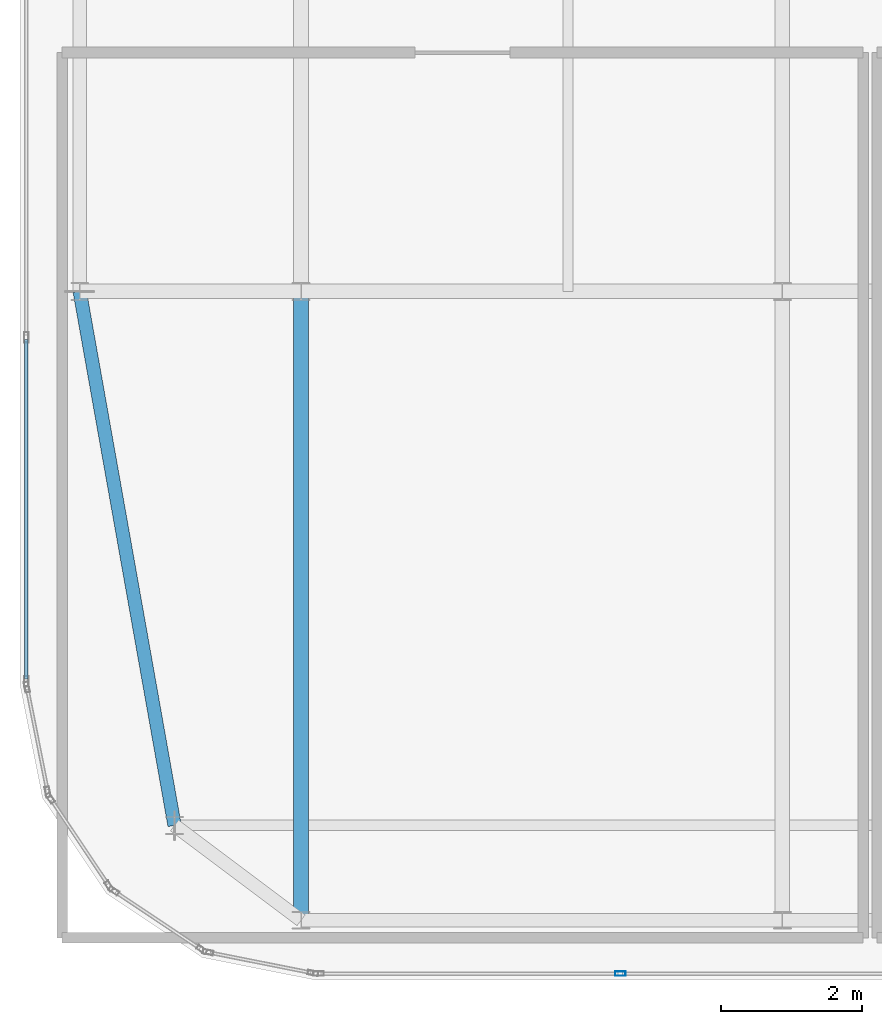
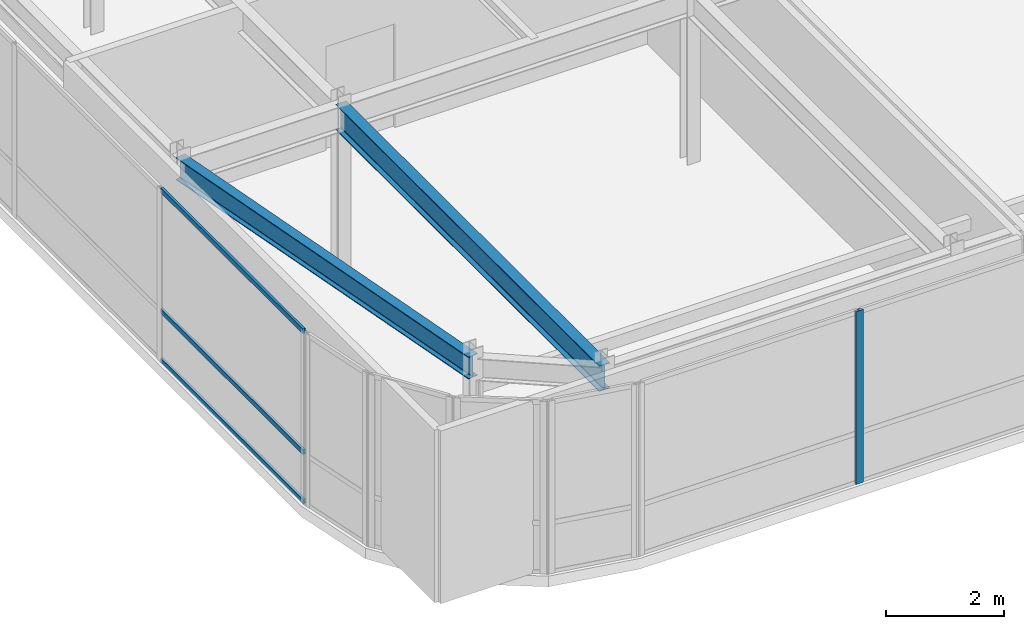
# One storey, part 6 of 36: 4 members, 2 beams, 2 elements without a shape of their own.
"""IFC4 building model written with IfcOpenShell, lengths in metres."""

from ifc_helpers import new_model, si_unit, direction, frame, origin, origin_2d, place, context, subcontext, project, spatial, hollow_rectangle, i_section, extrude, source, transform, mapped, material, layer, layer_set, material_profile, profile_set, type_object, type_shapes, element, aggregate, save


model = new_model("IFC4")

# Units and contexts
model_context = context("Model", 3, precision=1e-05, world=origin(), true_north=direction((0.0, 1.0)))
body_context = subcontext(model_context, "Body", "Model", "MODEL_VIEW")
ifc_project = project(units=[si_unit("LENGTHUNIT", "METRE"), si_unit("AREAUNIT", "SQUARE_METRE"), si_unit("VOLUMEUNIT", "CUBIC_METRE"), si_unit("PLANEANGLEUNIT", "RADIAN"), si_unit("MASSUNIT", "GRAM", prefix="KILO")], contexts=[model_context])

# Site, building, storey
site_placement = place(None, origin())
site = spatial("IfcSite", under=ifc_project, at=site_placement, CompositionType="ELEMENT")
building_placement = place(site_placement, origin())
building = spatial("IfcBuilding", under=site, at=building_placement, Name="Tolvann Quenvar Hotel", CompositionType="ELEMENT")
storey_placement = place(building_placement, frame((0.0, 0.0, 302.35009765625)))
storey = spatial("IfcBuildingStorey", under=building, at=storey_placement, Name="L80", CompositionType="ELEMENT", Elevation=302.35009765625)

# Beams
ifc_material_1 = material(Name="Steel Grade 350", Category="steel")
ifc_material_profile_1 = material_profile(ifc_material_1, i_section(OverallWidth=0.19091796875, OverallDepth=0.4599609375, WebThickness=0.010009765625, FlangeThickness=0.01611328125, FilletRadius=0.011474609375, at=origin_2d()), Name="460UB82")
ifc_profile_set_1 = profile_set([ifc_material_profile_1], Name="Steel Grade 350")
beam_type_1 = type_object("IfcBeamType", Name="BM_SPAND_460UB82", PredefinedType="SPANDREL", material=ifc_profile_set_1)
shared_shape_1 = source(origin(), body_context, "Body", "SweptSolid", [
    extrude(i_section(OverallWidth=0.19091796875, OverallDepth=0.4599609375, WebThickness=0.010009765625, FlangeThickness=0.01611328125, FilletRadius=0.011474609375, at=origin_2d()), origin(), (0.0, 0.0, 1.0), 7.718994140625),
])
type_shapes(beam_type_1, [shared_shape_1])
beam_1_placement = place(storey_placement, frame((5.800048828125, 8.39990234375, 3.349853515625), z_axis=(-0.174903883222, 0.984585512606, 0.0), x_axis=(-0.984585512606, -0.174903883222, 0.0)))
element("IfcBeam", 1, at=beam_1_placement, inside=storey, type_object=beam_type_1, Name="BM-L80-NS-B2-B4", PredefinedType="SPANDREL", context=body_context, shape_type="MappedRepresentation", body=[
    mapped(shared_shape_1, transform((0.0, 0.0, 0.0), x_axis=(1.0, 0.0, 0.0), y_axis=(0.0, 1.0, 0.0), z_axis=(0.0, 0.0, 1.0), scale=1.0)),
])
ifc_material_profile_2 = material_profile(ifc_material_1, i_section(OverallWidth=0.208984375, OverallDepth=0.532958984375, WebThickness=0.01025390625, FlangeThickness=0.015625, FilletRadius=0.013916015625, at=origin_2d()), Name="530UB92")
ifc_profile_set_2 = profile_set([ifc_material_profile_2], Name="Steel Grade 350")
beam_type_2 = type_object("IfcBeamType", Name="BM_GIRD_530UB92", PredefinedType="BEAM", material=ifc_profile_set_2)
shared_shape_2 = source(origin(), body_context, "Body", "SweptSolid", [
    extrude(i_section(OverallWidth=0.208984375, OverallDepth=0.532958984375, WebThickness=0.01025390625, FlangeThickness=0.015625, FilletRadius=0.013916015625, at=origin_2d()), origin(), (0.0, 0.0, 1.0), 8.949951171875),
])
type_shapes(beam_type_2, [shared_shape_2])
beam_2_placement = place(storey_placement, frame((7.60009765625, 7.050048828125, 3.3134765625), z_axis=(0.0, 1.0, 0.0), x_axis=(-1.0, 0.0, 0.0)))
element("IfcBeam", 2, at=beam_2_placement, inside=storey, type_object=beam_type_2, Name="BM-L80-NS-C2-C4", PredefinedType="BEAM", context=body_context, shape_type="MappedRepresentation", body=[
    mapped(shared_shape_2, transform((0.0, 0.0, 0.0), x_axis=(1.0, 0.0, 0.0), y_axis=(0.0, 1.0, 0.0), z_axis=(0.0, 0.0, 1.0), scale=1.0)),
])

# Curtain wall, members
ifc_material_2 = material(Name="Thermally broken anodised architectural aluminium 6063-T6 and laminated low-E glass", Category="aluminium")
ifc_layer = layer(ifc_material_2, 0.179931640625)
ifc_layer_set = layer_set([ifc_layer], Name="Thermally broken anodised architectural aluminium 6063-T6 and laminated low-E glass")
curtain_wall_type = type_object("IfcCurtainWallType", Name="CW_SYS_LANT_06", PredefinedType="USERDEFINED", material=ifc_layer_set)
curtain_wall_1_placement = place(storey_placement, origin())
curtain_wall_1 = element("IfcCurtainWall", 3, at=curtain_wall_1_placement, inside=storey, type_object=curtain_wall_type, Name="Curtain Wall CW-LANT-06 (CWR-L80-E19)", ObjectType="UNITISED CURTAIN WALL", PredefinedType="USERDEFINED")
ifc_material_3 = material(Name="Anodised architectural aluminium 6063-T6 framing", Category="aluminium")
ifc_material_profile_3 = material_profile(ifc_material_3, hollow_rectangle(XDim=0.050048828125, YDim=0.10009765625, WallThickness=0.0029296875, at=origin_2d()), Name="100x50x3RHS")
ifc_profile_set_3 = profile_set([ifc_material_profile_3], Name="Anodised architectural aluminium 6063-T6 framing")
member_type_1 = type_object("IfcMemberType", Name="CW_TRAN_100x50", PredefinedType="USERDEFINED", material=ifc_profile_set_3)
shared_shape_3 = source(origin(), body_context, "Body", "SweptSolid", [
    extrude(hollow_rectangle(XDim=0.050048828125, YDim=0.10009765625, WallThickness=0.0029296875, at=origin_2d()), origin(), (0.0, 0.0, 1.0), 4.830078125),
])
type_shapes(member_type_1, [shared_shape_3])
member_1_placement = place(storey_placement, frame((3.68994140625, 15.312255859375, 0.02490234375), z_axis=(0.0, -1.0, 0.0), x_axis=(1.0, 0.0, 0.0)))
member_1 = element("IfcMember", 4, at=member_1_placement, type_object=member_type_1, Name="CW-LANT-06 transom 6.1", ObjectType="TRANSOM", PredefinedType="USERDEFINED", context=body_context, shape_type="MappedRepresentation", body=[
    mapped(shared_shape_3, transform((0.0, 0.0, 0.0), x_axis=(1.0, 0.0, 0.0), y_axis=(0.0, 1.0, 0.0), z_axis=(0.0, 0.0, 1.0), scale=1.0)),
])
member_2_placement = place(storey_placement, frame((3.68994140625, 15.312255859375, 1.0498046875), z_axis=(0.0, -1.0, 0.0), x_axis=(1.0, 0.0, 0.0)))
member_2 = element("IfcMember", 5, at=member_2_placement, type_object=member_type_1, Name="CW-LANT-06 transom 6.2", ObjectType="TRANSOM", PredefinedType="USERDEFINED", context=body_context, shape_type="MappedRepresentation", body=[
    mapped(shared_shape_3, transform((0.0, 0.0, 0.0), x_axis=(1.0, 0.0, 0.0), y_axis=(0.0, 1.0, 0.0), z_axis=(0.0, 0.0, 1.0), scale=1.0)),
])
member_3_placement = place(storey_placement, frame((3.68994140625, 15.312255859375, 3.554931640625), z_axis=(0.0, -1.0, 0.0), x_axis=(1.0, 0.0, 0.0)))
member_3 = element("IfcMember", 6, at=member_3_placement, type_object=member_type_1, Name="CW-LANT-06 transom 6.3", ObjectType="TRANSOM", PredefinedType="USERDEFINED", context=body_context, shape_type="MappedRepresentation", body=[
    mapped(shared_shape_3, transform((0.0, 0.0, 0.0), x_axis=(1.0, 0.0, 0.0), y_axis=(0.0, 1.0, 0.0), z_axis=(0.0, 0.0, 1.0), scale=1.0)),
])
aggregate(curtain_wall_1, [member_1, member_2, member_3])

# Curtain wall, member
curtain_wall_2_placement = place(storey_placement, origin())
curtain_wall_2 = element("IfcCurtainWall", 7, at=curtain_wall_2_placement, inside=storey, type_object=curtain_wall_type, Name="Curtain Wall CW-LANT-06 (CWR-L80-E04)", ObjectType="UNITISED CURTAIN WALL", PredefinedType="USERDEFINED")
ifc_material_profile_4 = material_profile(ifc_material_3, hollow_rectangle(XDim=0.06494140625, YDim=0.14990234375, WallThickness=0.00390625, at=origin_2d()), Name="150x65x4RHS")
ifc_profile_set_4 = profile_set([ifc_material_profile_4], Name="Anodised architectural aluminium 6063-T6 framing")
member_type_2 = type_object("IfcMemberType", Name="CW_MULL_150x65", PredefinedType="MULLION", material=ifc_profile_set_4)
shared_shape_4 = source(origin(), body_context, "Body", "SweptSolid", [
    extrude(hollow_rectangle(XDim=0.06494140625, YDim=0.14990234375, WallThickness=0.00390625, at=origin_2d()), origin(), (0.0, 0.0, 1.0), 3.579833984375),
])
type_shapes(member_type_2, [shared_shape_4])
member_4_placement = place(storey_placement, frame((12.144775390625, 6.2900390625, 0.0), z_axis=(0.0, 0.0, 1.0), x_axis=(0.0, 1.0, 0.0)))
member_4 = element("IfcMember", 8, at=member_4_placement, type_object=member_type_2, Name="CW-LANT-06 mullion 2", PredefinedType="MULLION", context=body_context, shape_type="MappedRepresentation", body=[
    mapped(shared_shape_4, transform((0.0, 0.0, 0.0), x_axis=(1.0, 0.0, 0.0), y_axis=(0.0, 1.0, 0.0), z_axis=(0.0, 0.0, 1.0), scale=1.0)),
])
aggregate(curtain_wall_2, [member_4])

save(model, "model.ifc")
